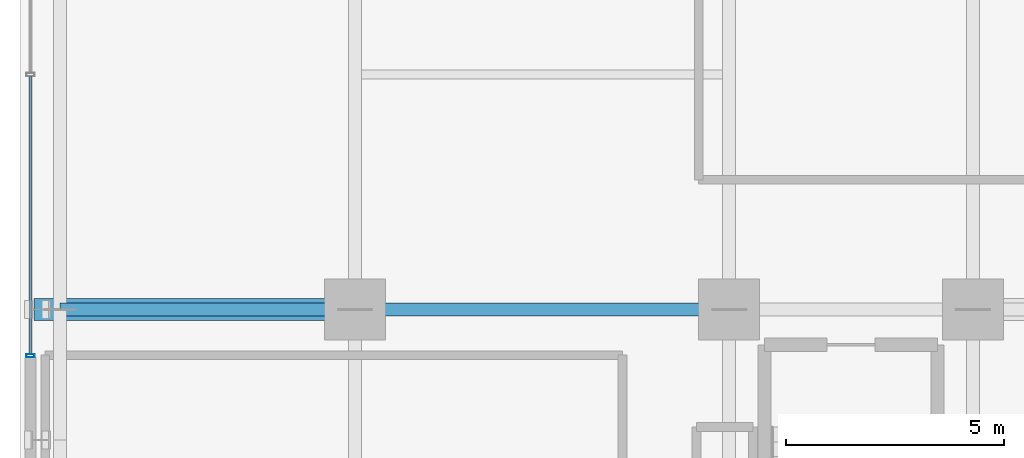
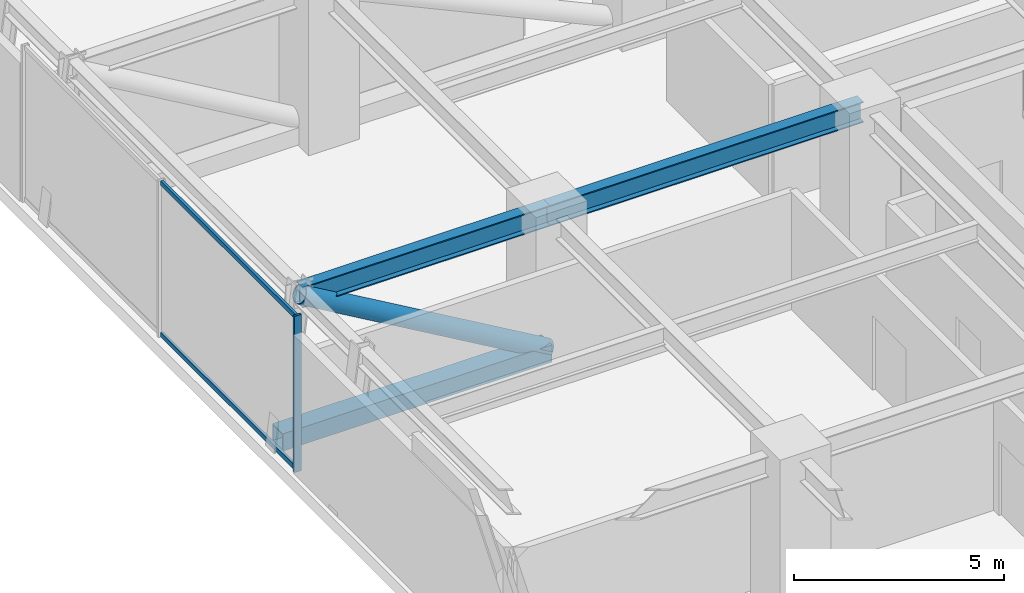
# One storey, part 2 of 17: 5 members, 2 beams, 1 element without a shape of its own.
"""IFC4 building model written with IfcOpenShell, lengths in metres."""

from ifc_helpers import new_model, si_unit, direction, frame, origin, origin_2d, place, context, subcontext, project, spatial, hollow_rectangle, hollow_circle, i_section, extrude, source, transform, mapped, material, material_profile, profile_set, type_object, element, aggregate, save


model = new_model("IFC4")

# Units and contexts
model_context = context("Model", 3, precision=1e-05, world=origin(), true_north=direction((0.0, 1.0)))
body_context = subcontext(model_context, "Body", "Model", "MODEL_VIEW")
ifc_project = project(units=[si_unit("LENGTHUNIT", "METRE"), si_unit("AREAUNIT", "SQUARE_METRE"), si_unit("VOLUMEUNIT", "CUBIC_METRE"), si_unit("PLANEANGLEUNIT", "RADIAN"), si_unit("MASSUNIT", "GRAM", prefix="KILO")], contexts=[model_context])

# Site, building, storey
site_placement = place(None, origin())
site = spatial("IfcSite", under=ifc_project, at=site_placement, CompositionType="ELEMENT")
building_placement = place(site_placement, origin())
building = spatial("IfcBuilding", under=site, at=building_placement, Name="Nahalor Promenade Grand Hotel", CompositionType="ELEMENT")
storey_placement = place(building_placement, frame((0.0, 0.0, 83.5)))
storey = spatial("IfcBuildingStorey", under=building, at=storey_placement, Name="L20", CompositionType="ELEMENT", Elevation=83.5)

# Beams
ifc_material_1 = material(Name="Steel S355JR", Category="steel")
ifc_material_profile_1 = material_profile(ifc_material_1, i_section(OverallWidth=0.3, OverallDepth=0.6, WebThickness=0.0155, FlangeThickness=0.03, at=origin_2d()), Name="HEB 600")
ifc_profile_set_1 = profile_set([ifc_material_profile_1], Name="Steel S355JR")
beam_type = type_object("IfcBeamType", Name="Beam-Girder-HEB600", PredefinedType="BEAM", material=ifc_profile_set_1)
shared_shape_1 = source(origin(), body_context, "Body", "SweptSolid", [
    extrude(i_section(OverallWidth=0.3, OverallDepth=0.6, WebThickness=0.0155, FlangeThickness=0.03, at=origin_2d()), origin(), (0.0, 0.0, 1.0), 8.60009765625),
])
beam_1_placement = place(storey_placement, frame((-17.0, -5.39990234375, 4.22998046875), z_axis=(1.0, 0.0, 0.0), x_axis=(0.0, 1.0, 0.0)))
element("IfcBeam", 1, at=beam_1_placement, inside=storey, type_object=beam_type, Name="BM-L20-GX-1-1", PredefinedType="BEAM", context=body_context, shape_type="MappedRepresentation", body=[
    mapped(shared_shape_1, transform((0.0, 0.0, 0.0), scale=1.0)),
])
shared_shape_2 = source(origin(), body_context, "Body", "SweptSolid", [
    extrude(i_section(OverallWidth=0.3, OverallDepth=0.6, WebThickness=0.0155, FlangeThickness=0.03, at=origin_2d()), origin(), (0.0, 0.0, 1.0), 6.780029296875),
])
beam_2_placement = place(storey_placement, frame((-23.780029296875, -5.39990234375, 4.22998046875), z_axis=(1.0, 0.0, 0.0), x_axis=(0.0, 1.0, 0.0)))
element("IfcBeam", 2, at=beam_2_placement, inside=storey, type_object=beam_type, Name="BM-L20-GX-1-0", PredefinedType="BEAM", context=body_context, shape_type="MappedRepresentation", body=[
    mapped(shared_shape_2, transform((0.0, 0.0, 0.0), scale=1.0)),
])

# Members
ifc_material_2 = material(Name="Steel S355J2", Category="steel")
ifc_material_profile_2 = material_profile(ifc_material_2, hollow_circle(Radius=0.254, WallThickness=0.025, at=origin_2d()), Name="CHS 508x25")
ifc_profile_set_2 = profile_set([ifc_material_profile_2], Name="Steel S355J2")
member_type_1 = type_object("IfcMemberType", Name="Mem-OutDiag-CHS508", PredefinedType="BRACE", material=ifc_profile_set_2)
shared_shape_3 = source(origin(), body_context, "Body", "SweptSolid", [
    extrude(hollow_circle(Radius=0.254, WallThickness=0.025, at=origin_2d()), origin(), (0.0, 0.0, 1.0), 7.8466796875),
])
member_1_placement = place(storey_placement, frame((-17.0, -5.39990234375, 0.300048828125), z_axis=(-0.864059757539, 0.0, 0.503389248397), x_axis=(0.0, -1.0, 0.0)))
element("IfcMember", 3, at=member_1_placement, inside=storey, type_object=member_type_1, Name="OU-L20-W1-D1", PredefinedType="BRACE", context=body_context, shape_type="MappedRepresentation", body=[
    mapped(shared_shape_3, transform((0.0, 0.0, 0.0), scale=1.0)),
])
ifc_material_profile_3 = material_profile(ifc_material_2, hollow_rectangle(XDim=0.5, YDim=0.5, WallThickness=0.032, at=origin_2d()), Name="SHS 500x500x32")
ifc_profile_set_3 = profile_set([ifc_material_profile_3], Name="Steel S355J2")
member_type_2 = type_object("IfcMemberType", Name="Mem-Chord-SHS500", PredefinedType="CHORD", material=ifc_profile_set_3)
shared_shape_4 = source(origin(), body_context, "Body", "SweptSolid", [
    extrude(hollow_rectangle(XDim=0.5, YDim=0.5, WallThickness=0.032, at=origin_2d()), origin(), (0.0, 0.0, 1.0), 7.3798828125),
])
member_2_placement = place(storey_placement, frame((-17.0, -5.39990234375, 0.300048828125), z_axis=(-1.0, 0.0, 0.0), x_axis=(0.0, -1.0, 0.0)))
element("IfcMember", 4, at=member_2_placement, inside=storey, type_object=member_type_2, Name="OU-L20-W1-C1", PredefinedType="CHORD", context=body_context, shape_type="MappedRepresentation", body=[
    mapped(shared_shape_4, transform((0.0, 0.0, 0.0), scale=1.0)),
])

# Curtain wall, members
ifc_material_3 = material(Name="Anodised Bronze Aluminium EN AW-6063 T6", Category="aluminium")
curtain_wall_type = type_object("IfcCurtainWallType", Name="CW6 Crown Botanical Conservatory Curtain Wall", PredefinedType="USERDEFINED", material=ifc_material_3)
curtain_wall_placement = place(storey_placement, origin())
curtain_wall = element("IfcCurtainWall", 5, at=curtain_wall_placement, inside=storey, type_object=curtain_wall_type, Name="L20 Curtain Wall CW-L20-W", ObjectType="UNITISED_CURTAIN_WALL", PredefinedType="USERDEFINED")
ifc_material_profile_4 = material_profile(ifc_material_3, hollow_rectangle(XDim=0.075, YDim=0.19, WallThickness=0.005, at=origin_2d()), Name="CWM 75x190x5")
ifc_profile_set_4 = profile_set([ifc_material_profile_4], Name="Anodised Bronze Aluminium EN AW-6063 T6")
member_type_3 = type_object("IfcMemberType", Name="CWM6 Conservatory Bronze Mullion 75x190", PredefinedType="MULLION", material=ifc_profile_set_4)
shared_shape_5 = source(origin(), body_context, "Body", "SweptSolid", [
    extrude(hollow_rectangle(XDim=0.075, YDim=0.19, WallThickness=0.005, at=origin_2d()), origin(), (0.0, 0.0, 1.0), 4.530029296875),
])
member_3_placement = place(storey_placement, frame((-24.4599609375, -6.46240234375, 0.0), z_axis=(0.0, 0.0, 1.0), x_axis=(0.0, 1.0, 0.0)))
member_3 = element("IfcMember", 6, at=member_3_placement, type_object=member_type_3, Name="CW-L20-W Mullion 0", PredefinedType="MULLION", context=body_context, shape_type="MappedRepresentation", body=[
    mapped(shared_shape_5, transform((0.0, 0.0, 0.0), scale=1.0)),
])
ifc_material_profile_5 = material_profile(ifc_material_3, hollow_rectangle(XDim=0.075, YDim=0.135, WallThickness=0.004, at=origin_2d()), Name="CWT 75x135x4")
ifc_profile_set_5 = profile_set([ifc_material_profile_5], Name="Anodised Bronze Aluminium EN AW-6063 T6")
member_type_4 = type_object("IfcMemberType", Name="CWT6 Conservatory Transom 75x135", PredefinedType="USERDEFINED", material=ifc_profile_set_5)
shared_shape_6 = source(origin(), body_context, "Body", "SweptSolid", [
    extrude(hollow_rectangle(XDim=0.075, YDim=0.135, WallThickness=0.004, at=origin_2d()), origin(), (0.0, 0.0, 1.0), 6.387451171875),
])
member_4_placement = place(storey_placement, frame((-24.4599609375, -6.425048828125, 0.0673828125), z_axis=(0.0, 1.0, 0.0), x_axis=(-1.0, 0.0, 0.0)))
member_4 = element("IfcMember", 7, at=member_4_placement, type_object=member_type_4, Name="CW-L20-W Transom 0-0", ObjectType="TRANSOM", PredefinedType="USERDEFINED", context=body_context, shape_type="MappedRepresentation", body=[
    mapped(shared_shape_6, transform((0.0, 0.0, 0.0), scale=1.0)),
])
member_5_placement = place(storey_placement, frame((-24.4599609375, -6.425048828125, 4.46240234375), z_axis=(0.0, 1.0, 0.0), x_axis=(-1.0, 0.0, 0.0)))
member_5 = element("IfcMember", 8, at=member_5_placement, type_object=member_type_4, Name="CW-L20-W Transom 0-1", ObjectType="TRANSOM", PredefinedType="USERDEFINED", context=body_context, shape_type="MappedRepresentation", body=[
    mapped(shared_shape_6, transform((0.0, 0.0, 0.0), scale=1.0)),
])
aggregate(curtain_wall, [member_3, member_4, member_5])

save(model, "model.ifc")
